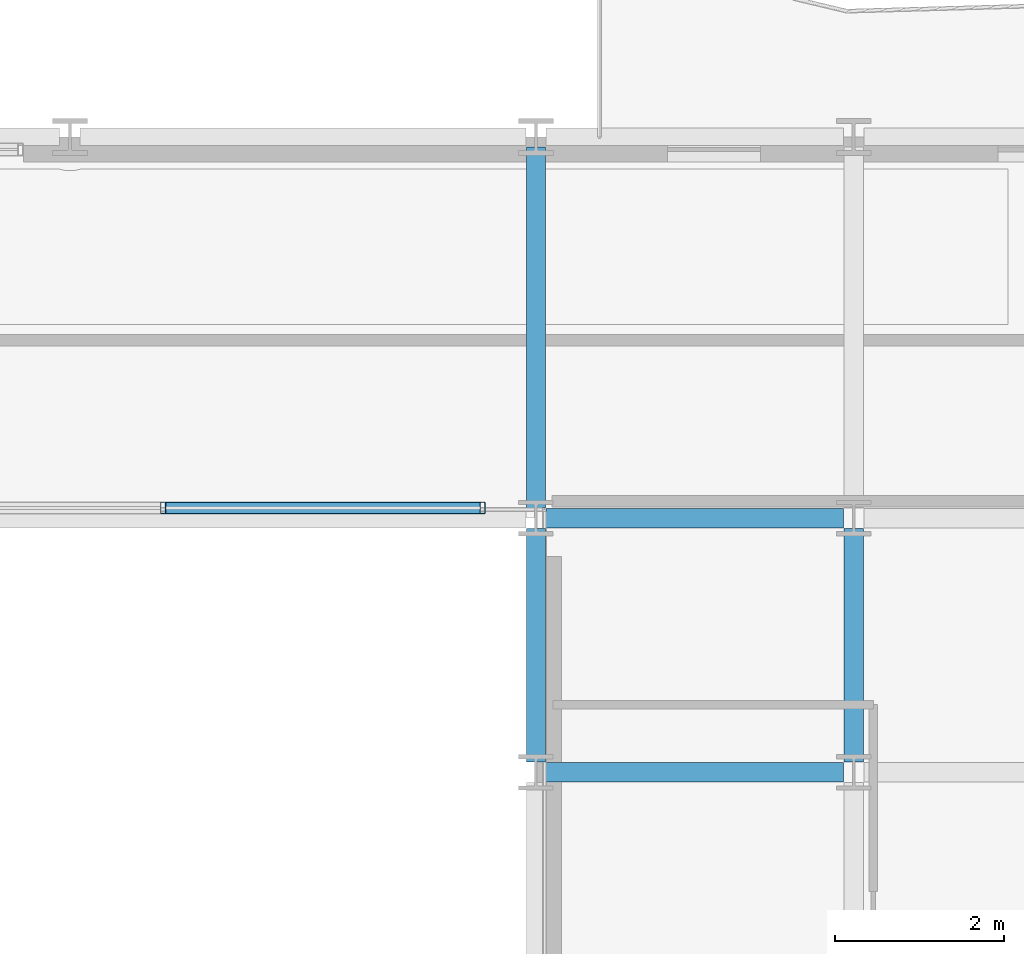
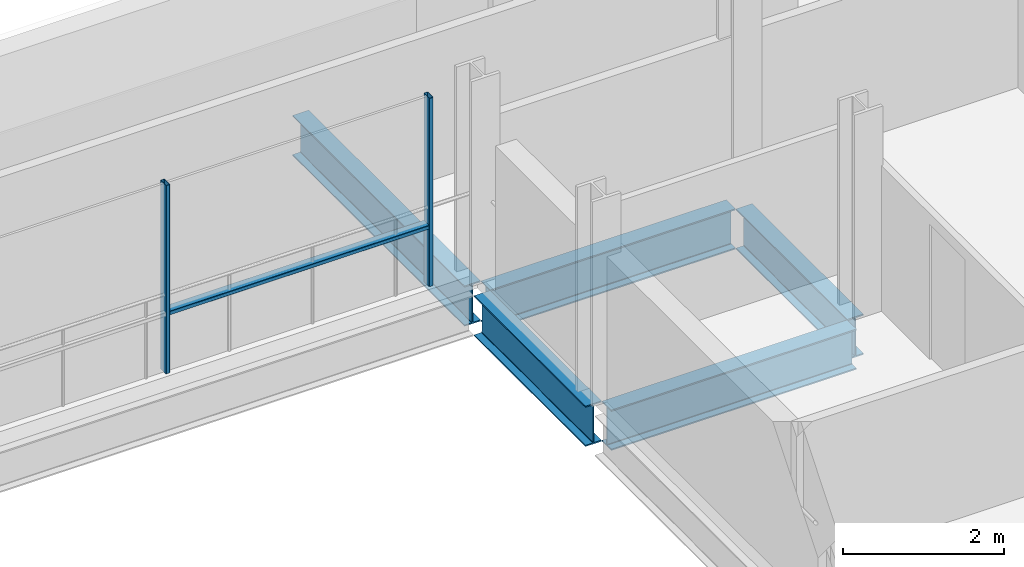
# One storey, part 17 of 40: 5 beams, 3 members, 1 element without a shape of its own.
"""IFC4 building model written with IfcOpenShell, lengths in metres."""

from ifc_helpers import new_model, si_unit, direction, frame, origin, origin_2d, place, context, subcontext, project, spatial, hollow_rectangle, i_section, extrude, material, layer, layer_set, material_profile, profile_set, type_object, element, aggregate, save


model = new_model("IFC4")

# Units and contexts
model_context = context("Model", 3, precision=1e-05, world=origin(), true_north=direction((0.0, 1.0)))
body_context = subcontext(model_context, "Body", "Model", "MODEL_VIEW")
ifc_project = project(units=[si_unit("LENGTHUNIT", "METRE"), si_unit("AREAUNIT", "SQUARE_METRE"), si_unit("VOLUMEUNIT", "CUBIC_METRE"), si_unit("PLANEANGLEUNIT", "RADIAN"), si_unit("MASSUNIT", "GRAM", prefix="KILO")], contexts=[model_context])

# Site, building, storey
site_placement = place(None, origin())
site = spatial("IfcSite", under=ifc_project, at=site_placement, CompositionType="ELEMENT")
building_placement = place(site_placement, origin())
building = spatial("IfcBuilding", under=site, at=building_placement, Name="Brevholm Reach", CompositionType="ELEMENT")
storey_placement = place(building_placement, frame((0.0, 0.0, 131.39990234375)))
storey = spatial("IfcBuildingStorey", under=building, at=storey_placement, Name="L39", CompositionType="ELEMENT", Elevation=131.39990234375)

# Beams
ifc_material_1 = material(Name="Structural Steel S355J2", Category="steel")
ifc_material_profile_1 = material_profile(ifc_material_1, i_section(OverallWidth=0.22900390625, OverallDepth=0.6123046875, WebThickness=0.011962890625, FlangeThickness=0.01953125, FilletRadius=0.0126953125, at=origin_2d()), Name="UKB 610x229x125")
ifc_profile_set_1 = profile_set([ifc_material_profile_1], Name="Structural Steel S355J2")
beam_type = type_object("IfcBeamType", Name="BM-SP610", PredefinedType="SPANDREL", material=ifc_profile_set_1)
for number, where, z_axis, x_axis, name in (
    (1, (38.3701171875, 23.5, -0.526123046875), (1.0, 0.0, 0.0), (0.0, 1.0, 0.0), "L39 SP-01 Framing Beam"),
    (2, (38.3701171875, 26.5, -0.526123046875), (1.0, 0.0, 0.0), (0.0, 1.0, 0.0), "L39 SP-01 Framing Beam"),
):
    element("IfcBeam", number, at=place(storey_placement, frame(where, z_axis=z_axis, x_axis=x_axis)), inside=storey, type_object=beam_type, Name=name, PredefinedType="SPANDREL", context=body_context, shape_type="SweptSolid", body=[
        extrude(i_section(OverallWidth=0.22900390625, OverallDepth=0.6123046875, WebThickness=0.011962890625, FlangeThickness=0.01953125, FilletRadius=0.0126953125, at=origin_2d()), origin(), (0.0, 0.0, 1.0), 3.509765625),
    ])
beam_1_placement = place(storey_placement, frame((38.25, 23.6201171875, -0.526123046875), z_axis=(0.0, 1.0, 0.0), x_axis=(-1.0, 0.0, 0.0)))
element("IfcBeam", 3, at=beam_1_placement, inside=storey, type_object=beam_type, Name="L39 SP-01 Framing Beam", PredefinedType="SPANDREL", context=body_context, shape_type="SweptSolid", body=[
    extrude(i_section(OverallWidth=0.22900390625, OverallDepth=0.6123046875, WebThickness=0.011962890625, FlangeThickness=0.01953125, FilletRadius=0.0126953125, at=origin_2d()), origin(), (0.0, 0.0, 1.0), 2.759765625),
])
beam_2_placement = place(storey_placement, frame((38.25, 26.6201171875, -0.526123046875), z_axis=(0.0, 1.0, 0.0), x_axis=(-1.0, 0.0, 0.0)))
element("IfcBeam", 4, at=beam_2_placement, inside=storey, type_object=beam_type, Name="L39 SP-01 Framing Beam", PredefinedType="SPANDREL", context=body_context, shape_type="SweptSolid", body=[
    extrude(i_section(OverallWidth=0.22900390625, OverallDepth=0.6123046875, WebThickness=0.011962890625, FlangeThickness=0.01953125, FilletRadius=0.0126953125, at=origin_2d()), origin(), (0.0, 0.0, 1.0), 4.259765625),
])
beam_3_placement = place(storey_placement, frame((42.0, 23.6201171875, -0.526123046875), z_axis=(0.0, 1.0, 0.0), x_axis=(-1.0, 0.0, 0.0)))
element("IfcBeam", 5, at=beam_3_placement, inside=storey, type_object=beam_type, Name="L39 SP-01 Framing Beam", PredefinedType="SPANDREL", context=body_context, shape_type="SweptSolid", body=[
    extrude(i_section(OverallWidth=0.22900390625, OverallDepth=0.6123046875, WebThickness=0.011962890625, FlangeThickness=0.01953125, FilletRadius=0.0126953125, at=origin_2d()), origin(), (0.0, 0.0, 1.0), 2.759765625),
])

# Curtain wall, members
ifc_material_2 = material(Name="Dark Anodised Aluminium 6063-T6 and Solar-Control Glass", Category="aluminium")
ifc_layer = layer(ifc_material_2, 0.139892578125)
ifc_layer_set = layer_set([ifc_layer], Name="Dark Anodised Aluminium 6063-T6 and Solar-Control Glass")
curtain_wall_type = type_object("IfcCurtainWallType", Name="CW-02", PredefinedType="NOTDEFINED", material=ifc_layer_set)
curtain_wall_placement = place(storey_placement, origin())
curtain_wall = element("IfcCurtainWall", 6, at=curtain_wall_placement, inside=storey, type_object=curtain_wall_type, Name="L39 Curtain Wall CW-02", PredefinedType="NOTDEFINED")
ifc_material_3 = material(Name="Dark Anodised Aluminium 6063-T6", Category="aluminium")
ifc_material_profile_2 = material_profile(ifc_material_3, hollow_rectangle(XDim=0.06005859375, YDim=0.139892578125, WallThickness=0.0048828125, InnerFilletRadius=0.0048828125, OuterFilletRadius=0.010009765625, at=origin_2d()), Name="RHS 140x60x5")
ifc_profile_set_2 = profile_set([ifc_material_profile_2], Name="Dark Anodised Aluminium 6063-T6")
member_type_1 = type_object("IfcMemberType", Name="CWM-140", PredefinedType="MULLION", material=ifc_profile_set_2)
member_1_placement = place(storey_placement, frame((37.6201171875, 26.6201171875, 0.0), z_axis=(0.0, 0.0, 1.0), x_axis=(-1.0, 0.0, 0.0)))
member_1 = element("IfcMember", 7, at=member_1_placement, type_object=member_type_1, Name="CM-140 Mullion 1", PredefinedType="MULLION", context=body_context, shape_type="SweptSolid", body=[
    extrude(hollow_rectangle(XDim=0.06005859375, YDim=0.139892578125, WallThickness=0.0048828125, InnerFilletRadius=0.0048828125, OuterFilletRadius=0.010009765625, at=origin_2d()), origin(), (0.0, 0.0, 1.0), 2.85009765625),
])
member_2_placement = place(storey_placement, frame((33.85009765625, 26.6201171875, 0.0), z_axis=(0.0, 0.0, 1.0), x_axis=(-1.0, 0.0, 0.0)))
member_2 = element("IfcMember", 8, at=member_2_placement, type_object=member_type_1, Name="CM-140 Mullion 2", PredefinedType="MULLION", context=body_context, shape_type="SweptSolid", body=[
    extrude(hollow_rectangle(XDim=0.06005859375, YDim=0.139892578125, WallThickness=0.0048828125, InnerFilletRadius=0.0048828125, OuterFilletRadius=0.010009765625, at=origin_2d()), origin(), (0.0, 0.0, 1.0), 2.85009765625),
])
ifc_material_4 = material(Name="Dark Anodised Aluminium 6063-T6", Category="aluminium")
ifc_material_profile_3 = material_profile(ifc_material_4, hollow_rectangle(XDim=0.06005859375, YDim=0.139892578125, WallThickness=0.0048828125, InnerFilletRadius=0.0048828125, OuterFilletRadius=0.010009765625, at=origin_2d()), Name="RHS 140x60x5")
ifc_profile_set_3 = profile_set([ifc_material_profile_3], Name="Dark Anodised Aluminium 6063-T6")
member_type_2 = type_object("IfcMemberType", Name="CWT-140", PredefinedType="NOTDEFINED", material=ifc_profile_set_3)
member_3_placement = place(storey_placement, frame((37.590087890625, 26.6201171875, 0.900146484375), z_axis=(-1.0, 0.0, 0.0), x_axis=(0.0, 0.0, 1.0)))
member_3 = element("IfcMember", 9, at=member_3_placement, type_object=member_type_2, Name="CT-140 Transom 1.1", ObjectType="TRANSOM", PredefinedType="USERDEFINED", context=body_context, shape_type="SweptSolid", body=[
    extrude(hollow_rectangle(XDim=0.06005859375, YDim=0.139892578125, WallThickness=0.0048828125, InnerFilletRadius=0.0048828125, OuterFilletRadius=0.010009765625, at=origin_2d()), origin(), (0.0, 0.0, 1.0), 3.710205078125),
])
aggregate(curtain_wall, [member_1, member_2, member_3])

save(model, "model.ifc")
